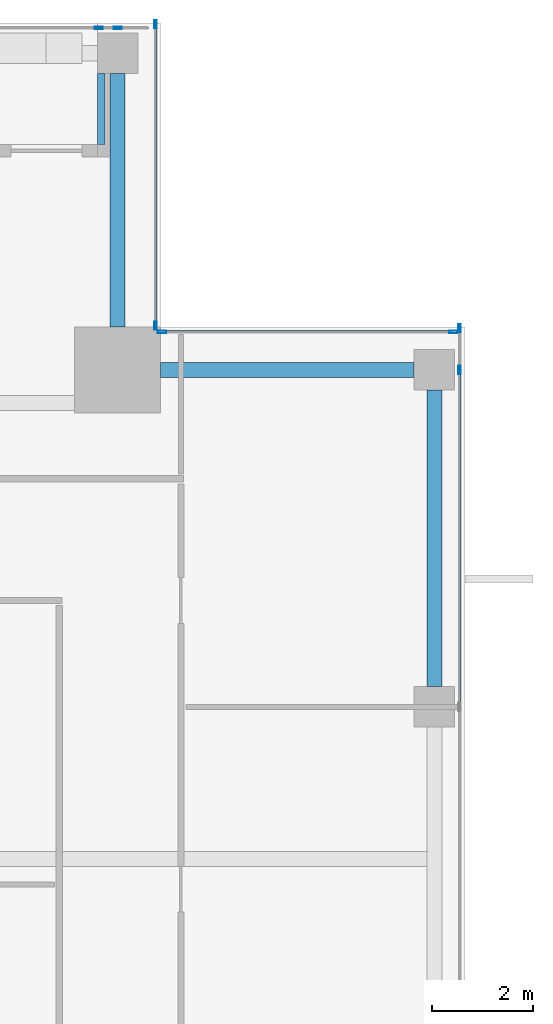
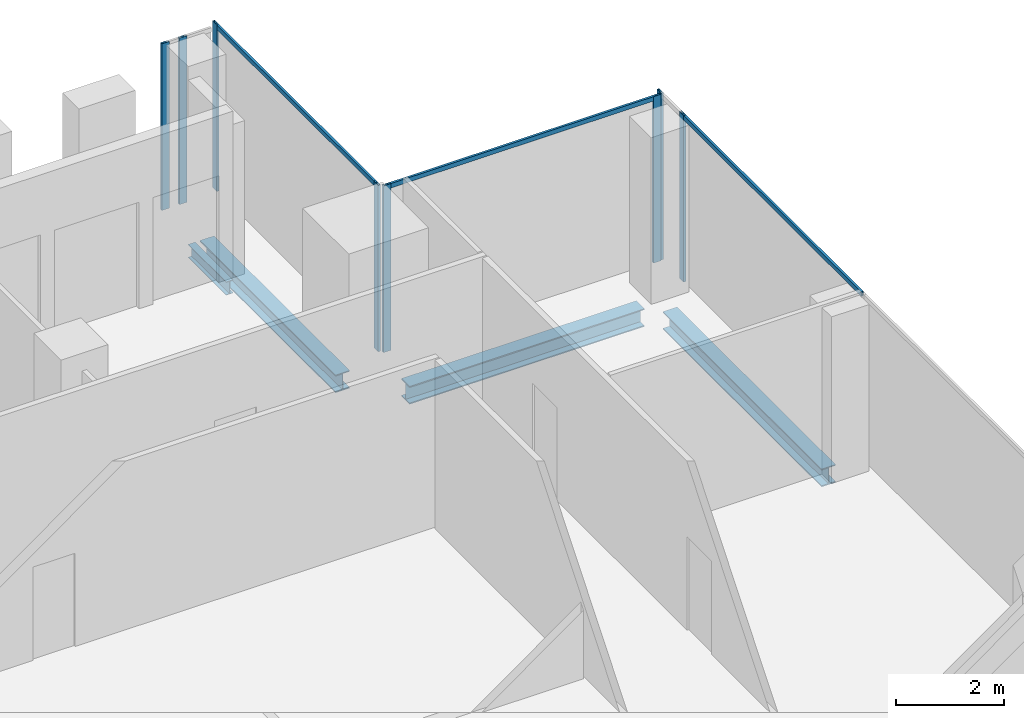
# One storey, part 17 of 29: 11 members, 4 beams, 4 elements without a shape of their own.
"""IFC4 building model written with IfcOpenShell, lengths in metres."""

from ifc_helpers import new_model, si_unit, direction, frame, origin, origin_2d, place, context, subcontext, project, spatial, hollow_rectangle, i_section, extrude, source, transform, mapped, material, material_profile, profile_set, type_object, element, aggregate, save


model = new_model("IFC4")

# Units and contexts
model_context = context("Model", 3, precision=1e-05, world=origin(), true_north=direction((0.0, 1.0)))
body_context = subcontext(model_context, "Body", "Model", "MODEL_VIEW")
ifc_project = project(units=[si_unit("LENGTHUNIT", "METRE"), si_unit("AREAUNIT", "SQUARE_METRE"), si_unit("VOLUMEUNIT", "CUBIC_METRE"), si_unit("PLANEANGLEUNIT", "RADIAN"), si_unit("MASSUNIT", "GRAM", prefix="KILO")], contexts=[model_context])

# Site, building, storey
site_placement = place(None, origin())
site = spatial("IfcSite", under=ifc_project, at=site_placement, CompositionType="ELEMENT")
building_placement = place(site_placement, origin())
building = spatial("IfcBuilding", under=site, at=building_placement, Name="Khomas Fold Tower", CompositionType="ELEMENT")
storey_placement = place(building_placement, frame((0.0, 0.0, 290.199951171875)))
storey = spatial("IfcBuildingStorey", under=building, at=storey_placement, Name="L65", CompositionType="ELEMENT", Elevation=290.199951171875)

# Beams
ifc_material_1 = material(Name="Steel S355", Category="steel")
ifc_material_profile_1 = material_profile(ifc_material_1, i_section(OverallWidth=0.300048828125, OverallDepth=0.39990234375, WebThickness=0.013427734375, FlangeThickness=0.02392578125, at=origin_2d()), Name="HE 400 B")
ifc_profile_set_1 = profile_set([ifc_material_profile_1], Name="Steel S355")
beam_type_1 = type_object("IfcBeamType", Name="HE 400 B spandrel SB5", PredefinedType="SPANDREL", material=ifc_profile_set_1)
shared_shape_1 = source(origin(), body_context, "Body", "SweptSolid", [
    extrude(i_section(OverallWidth=0.300048828125, OverallDepth=0.39990234375, WebThickness=0.013427734375, FlangeThickness=0.02392578125, at=origin_2d()), origin(), (0.0, 0.0, 1.0), 5.85009765625),
])
beam_1_placement = place(storey_placement, frame((47.39990234375, 34.89990234375, -0.449951171875), z_axis=(0.0, 1.0, 0.0), x_axis=(-1.0, 0.0, 0.0)))
element("IfcBeam", 1, at=beam_1_placement, inside=storey, type_object=beam_type_1, Name="SB5", PredefinedType="SPANDREL", context=body_context, shape_type="MappedRepresentation", body=[
    mapped(shared_shape_1, transform((0.0, 0.0, 0.0))),
])
shared_shape_2 = source(origin(), body_context, "Body", "SweptSolid", [
    extrude(i_section(OverallWidth=0.300048828125, OverallDepth=0.39990234375, WebThickness=0.013427734375, FlangeThickness=0.02392578125, at=origin_2d()), origin(), (0.0, 0.0, 1.0), 5.0),
])
for number, where, z_axis, x_axis, name in (
    (2, (42.0, 41.14990234375, -0.449951171875), (1.0, 0.0, 0.0), (0.0, 1.0, 0.0), "SB5"),
    (3, (41.14990234375, 42.0, -0.449951171875), (0.0, 1.0, 0.0), (-1.0, 0.0, 0.0), "SB5"),
):
    element("IfcBeam", number, at=place(storey_placement, frame(where, z_axis=z_axis, x_axis=x_axis)), inside=storey, type_object=beam_type_1, Name=name, PredefinedType="SPANDREL", context=body_context, shape_type="MappedRepresentation", body=[
        mapped(shared_shape_2, transform((0.0, 0.0, 0.0))),
    ])
ifc_material_2 = material(Name="Steel S355", Category="steel")
ifc_material_profile_2 = material_profile(ifc_material_2, i_section(OverallWidth=0.14990234375, OverallDepth=0.300048828125, WebThickness=0.007080078125, FlangeThickness=0.0107421875, at=origin_2d()), Name="IPE 300")
ifc_profile_set_2 = profile_set([ifc_material_profile_2], Name="Steel S355")
beam_type_2 = type_object("IfcBeamType", Name="IPE 300 beam BB2", PredefinedType="BEAM", material=ifc_profile_set_2)
shared_shape_3 = source(origin(), body_context, "Body", "SweptSolid", [
    extrude(i_section(OverallWidth=0.14990234375, OverallDepth=0.300048828125, WebThickness=0.007080078125, FlangeThickness=0.0107421875, at=origin_2d()), origin(), (0.0, 0.0, 1.0), 1.39990234375),
])
beam_2_placement = place(storey_placement, frame((40.824951171875, 45.60009765625, -0.39990234375), z_axis=(0.0, 1.0, 0.0), x_axis=(-1.0, 0.0, 0.0)))
element("IfcBeam", 4, at=beam_2_placement, inside=storey, type_object=beam_type_2, Name="BB2", PredefinedType="BEAM", context=body_context, shape_type="MappedRepresentation", body=[
    mapped(shared_shape_3, transform((0.0, 0.0, 0.0))),
])

# Curtain wall, members
ifc_material_3 = material(Name="Aluminium framed double glazing", Category="aluminium")
curtain_wall_type = type_object("IfcCurtainWallType", Name="SK-Unitised clear-glass wall, upper floors CW3", PredefinedType="NOTDEFINED", material=ifc_material_3)
curtain_wall_1_placement = place(storey_placement, origin())
curtain_wall_1 = element("IfcCurtainWall", 5, at=curtain_wall_1_placement, inside=storey, type_object=curtain_wall_type, Name="CW3 run L65 03-1", PredefinedType="NOTDEFINED")
ifc_material_4 = material(Name="Aluminium", Category="aluminium")
ifc_material_profile_3 = material_profile(ifc_material_4, hollow_rectangle(XDim=0.050048828125, YDim=0.159912109375, WallThickness=0.00390625, at=origin_2d()), Name="SK-Unitised clear-glass wall, upper floors mullion CW3-M")
ifc_profile_set_3 = profile_set([ifc_material_profile_3], Name="Aluminium")
member_type_1 = type_object("IfcMemberType", Name="SK-Unitised clear-glass wall, upper floors mullion CW3-M", PredefinedType="MULLION", material=ifc_profile_set_3)
shared_shape_4 = source(origin(), body_context, "Body", "SweptSolid", [
    extrude(hollow_rectangle(XDim=0.050048828125, YDim=0.159912109375, WallThickness=0.00390625, at=origin_2d()), origin(), (0.0, 0.0, 1.0), 3.75),
])
member_1_placement = place(storey_placement, frame((47.89990234375, 41.14990234375, 0.0), z_axis=(0.0, 0.0, 1.0), x_axis=(-1.0, 0.0, 0.0)))
member_1 = element("IfcMember", 6, at=member_1_placement, type_object=member_type_1, Name="CW3 mullion 4", PredefinedType="MULLION", context=body_context, shape_type="MappedRepresentation", body=[
    mapped(shared_shape_4, transform((0.0, 0.0, 0.0))),
])
member_2_placement = place(storey_placement, frame((47.89990234375, 41.97509765625, 0.0), z_axis=(0.0, 0.0, 1.0), x_axis=(-1.0, 0.0, 0.0)))
member_2 = element("IfcMember", 7, at=member_2_placement, type_object=member_type_1, Name="CW3 mullion 5", PredefinedType="MULLION", context=body_context, shape_type="MappedRepresentation", body=[
    mapped(shared_shape_4, transform((0.0, 0.0, 0.0))),
])

curtain_wall_2_placement = place(storey_placement, origin())
curtain_wall_2 = element("IfcCurtainWall", 8, at=curtain_wall_2_placement, inside=storey, type_object=curtain_wall_type, Name="CW3 corner return L65 04", PredefinedType="NOTDEFINED")
member_3_placement = place(storey_placement, frame((47.77490234375, 41.89990234375, 0.0), z_axis=(0.0, 0.0, 1.0), x_axis=(0.0, -1.0, 0.0)))
member_3 = element("IfcMember", 9, at=member_3_placement, type_object=member_type_1, Name="CW3 mullion 1", PredefinedType="MULLION", context=body_context, shape_type="MappedRepresentation", body=[
    mapped(shared_shape_4, transform((0.0, 0.0, 0.0))),
])
member_4_placement = place(storey_placement, frame((42.02490234375, 41.89990234375, 0.0), z_axis=(0.0, 0.0, 1.0), x_axis=(0.0, -1.0, 0.0)))
member_4 = element("IfcMember", 10, at=member_4_placement, type_object=member_type_1, Name="CW3 mullion 2", PredefinedType="MULLION", context=body_context, shape_type="MappedRepresentation", body=[
    mapped(shared_shape_4, transform((0.0, 0.0, 0.0))),
])

curtain_wall_3_placement = place(storey_placement, origin())
curtain_wall_3 = element("IfcCurtainWall", 11, at=curtain_wall_3_placement, inside=storey, type_object=curtain_wall_type, Name="CW3 corner return L65 05", PredefinedType="NOTDEFINED")
member_5_placement = place(storey_placement, frame((41.89990234375, 42.02490234375, 0.0), z_axis=(0.0, 0.0, 1.0), x_axis=(-1.0, 0.0, 0.0)))
member_5 = element("IfcMember", 12, at=member_5_placement, type_object=member_type_1, Name="CW3 mullion 1", PredefinedType="MULLION", context=body_context, shape_type="MappedRepresentation", body=[
    mapped(shared_shape_4, transform((0.0, 0.0, 0.0))),
])
member_6_placement = place(storey_placement, frame((41.89990234375, 47.97509765625, 0.0), z_axis=(0.0, 0.0, 1.0), x_axis=(-1.0, 0.0, 0.0)))
member_6 = element("IfcMember", 13, at=member_6_placement, type_object=member_type_1, Name="CW3 mullion 2", PredefinedType="MULLION", context=body_context, shape_type="MappedRepresentation", body=[
    mapped(shared_shape_4, transform((0.0, 0.0, 0.0))),
])

curtain_wall_4_placement = place(storey_placement, origin())
curtain_wall_4 = element("IfcCurtainWall", 14, at=curtain_wall_4_placement, inside=storey, type_object=curtain_wall_type, Name="CW3 run L65 06-0", PredefinedType="NOTDEFINED")
member_7_placement = place(storey_placement, frame((41.14990234375, 47.89990234375, 0.0), z_axis=(0.0, 0.0, 1.0), x_axis=(0.0, -1.0, 0.0)))
member_7 = element("IfcMember", 15, at=member_7_placement, type_object=member_type_1, Name="CW3 mullion 2", PredefinedType="MULLION", context=body_context, shape_type="MappedRepresentation", body=[
    mapped(shared_shape_4, transform((0.0, 0.0, 0.0))),
])
member_8_placement = place(storey_placement, frame((40.77490234375, 47.89990234375, 0.0), z_axis=(0.0, 0.0, 1.0), x_axis=(0.0, -1.0, 0.0)))
member_8 = element("IfcMember", 16, at=member_8_placement, type_object=member_type_1, Name="CW3 mullion 3", PredefinedType="MULLION", context=body_context, shape_type="MappedRepresentation", body=[
    mapped(shared_shape_4, transform((0.0, 0.0, 0.0))),
])
aggregate(curtain_wall_4, [member_7, member_8])

# Member
ifc_material_5 = material(Name="Aluminium", Category="aluminium")
ifc_material_profile_4 = material_profile(ifc_material_5, hollow_rectangle(XDim=0.050048828125, YDim=0.10009765625, WallThickness=0.00390625, at=origin_2d()), Name="SK-Unitised clear-glass wall, upper floors transom CW3-T")
ifc_profile_set_4 = profile_set([ifc_material_profile_4], Name="Aluminium")
member_type_2 = type_object("IfcMemberType", Name="SK-Unitised clear-glass wall, upper floors transom CW3-T", PredefinedType="USERDEFINED", material=ifc_profile_set_4)
shared_shape_5 = source(origin(), body_context, "Body", "SweptSolid", [
    extrude(hollow_rectangle(XDim=0.050048828125, YDim=0.10009765625, WallThickness=0.00390625, at=origin_2d()), origin(), (0.0, 0.0, 1.0), 6.60009765625),
])
member_9_placement = place(storey_placement, frame((47.89990234375, 34.52490234375, 3.699951171875), z_axis=(0.0, 1.0, 0.0), x_axis=(-1.0, 0.0, 0.0)))
member_9 = element("IfcMember", 17, at=member_9_placement, type_object=member_type_2, Name="CW3 transom 3", ObjectType="TRANSOM", PredefinedType="USERDEFINED", context=body_context, shape_type="MappedRepresentation", body=[
    mapped(shared_shape_5, transform((0.0, 0.0, 0.0))),
])

aggregate(curtain_wall_1, [member_1, member_2, member_9])

shared_shape_6 = source(origin(), body_context, "Body", "SweptSolid", [
    extrude(hollow_rectangle(XDim=0.050048828125, YDim=0.10009765625, WallThickness=0.00390625, at=origin_2d()), origin(), (0.0, 0.0, 1.0), 5.699951171875),
])
member_10_placement = place(storey_placement, frame((47.75, 41.89990234375, 3.699951171875), z_axis=(-1.0, 0.0, 0.0), x_axis=(0.0, -1.0, 0.0)))
member_10 = element("IfcMember", 18, at=member_10_placement, type_object=member_type_2, Name="CW3 transom 1", ObjectType="TRANSOM", PredefinedType="USERDEFINED", context=body_context, shape_type="MappedRepresentation", body=[
    mapped(shared_shape_6, transform((0.0, 0.0, 0.0))),
])

aggregate(curtain_wall_2, [member_3, member_4, member_10])

shared_shape_7 = source(origin(), body_context, "Body", "SweptSolid", [
    extrude(hollow_rectangle(XDim=0.050048828125, YDim=0.10009765625, WallThickness=0.00390625, at=origin_2d()), origin(), (0.0, 0.0, 1.0), 5.89990234375),
])
member_11_placement = place(storey_placement, frame((41.89990234375, 42.050048828125, 3.699951171875), z_axis=(0.0, 1.0, 0.0), x_axis=(-1.0, 0.0, 0.0)))
member_11 = element("IfcMember", 19, at=member_11_placement, type_object=member_type_2, Name="CW3 transom 1", ObjectType="TRANSOM", PredefinedType="USERDEFINED", context=body_context, shape_type="MappedRepresentation", body=[
    mapped(shared_shape_7, transform((0.0, 0.0, 0.0))),
])

aggregate(curtain_wall_3, [member_5, member_6, member_11])

save(model, "model.ifc")
